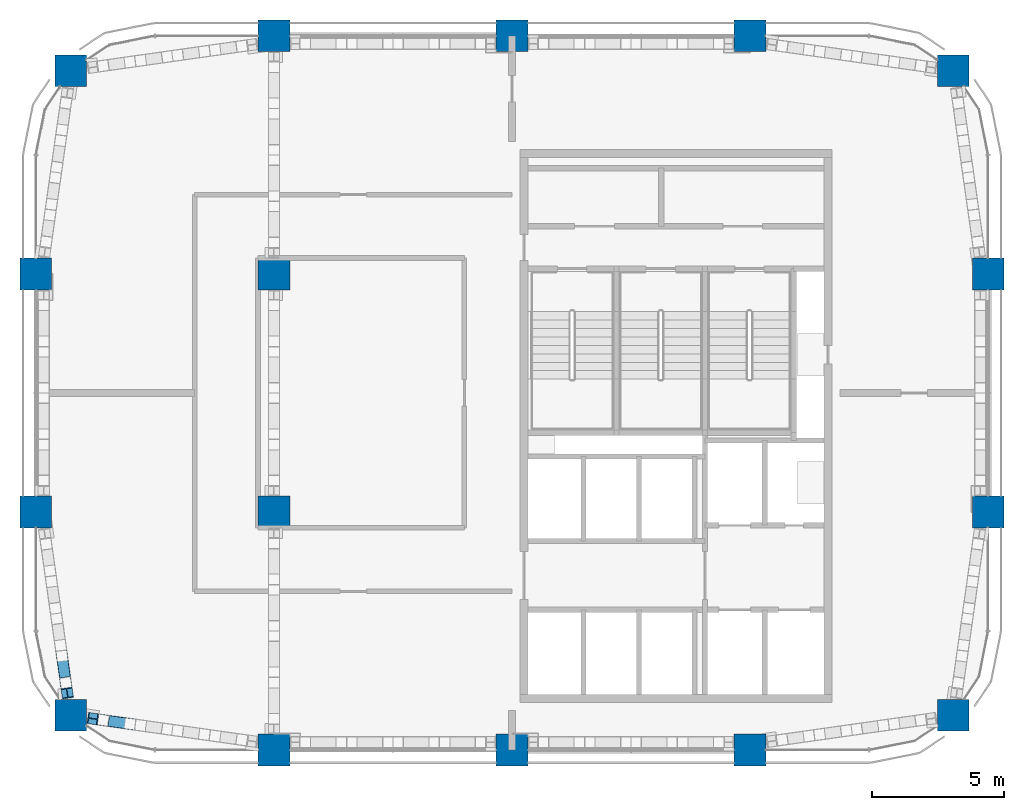
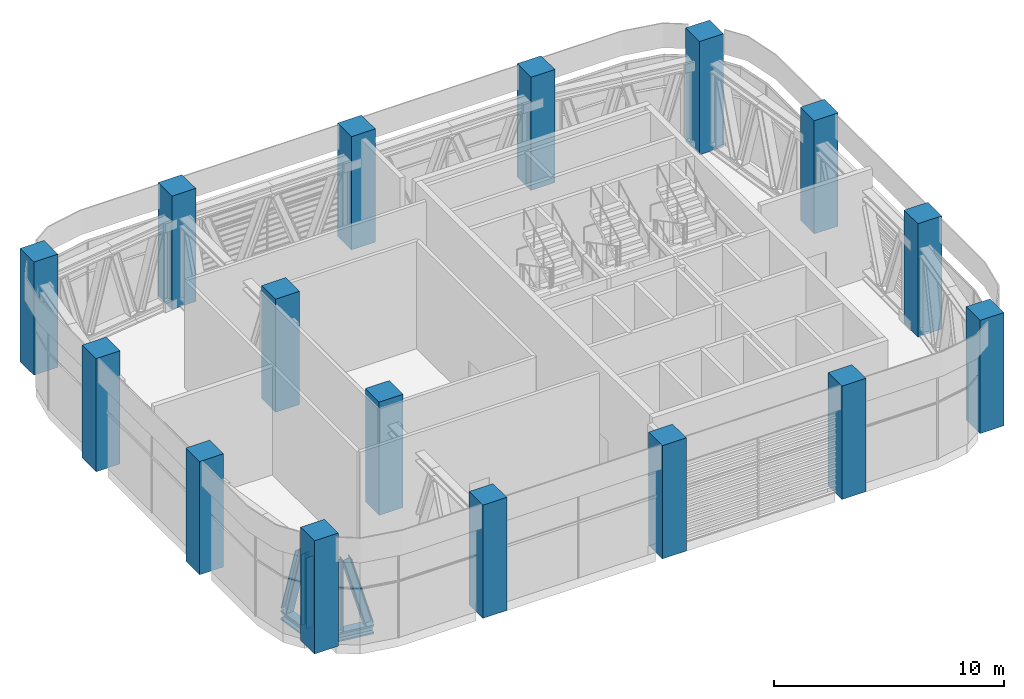
# One storey, part 1 of 14: 16 columns, 6 members.
"""IFC4 building model written with IfcOpenShell, lengths in metres."""

from ifc_helpers import new_model, si_unit, direction, frame, origin, origin_2d, place, context, subcontext, project, spatial, rectangle, i_section, extrude, material, material_profile, profile_set, type_object, element, save


model = new_model("IFC4")

# Units and contexts
model_context = context("Model", 3, precision=1e-05, world=origin(), true_north=direction((0.0, 1.0)))
body_context = subcontext(model_context, "Body", "Model", "MODEL_VIEW")
ifc_project = project(units=[si_unit("LENGTHUNIT", "METRE"), si_unit("AREAUNIT", "SQUARE_METRE"), si_unit("VOLUMEUNIT", "CUBIC_METRE"), si_unit("PLANEANGLEUNIT", "RADIAN"), si_unit("MASSUNIT", "GRAM", prefix="KILO")], contexts=[model_context])

# Site, building, storey
site_placement = place(None, origin())
site = spatial("IfcSite", under=ifc_project, at=site_placement, CompositionType="ELEMENT")
building_placement = place(site_placement, origin())
building = spatial("IfcBuilding", under=site, at=building_placement, Name="Tessera Arch", CompositionType="ELEMENT")
storey_placement = place(building_placement, frame((0.0, 0.0, 295.199951171875)))
storey = spatial("IfcBuildingStorey", under=building, at=storey_placement, Name="L71", CompositionType="ELEMENT", Elevation=295.199951171875)

# Columns
ifc_material_1 = material(Name="Concrete C60/75", Category="concrete")
ifc_material_profile_1 = material_profile(ifc_material_1, rectangle(XDim=1.199951171875, YDim=1.199951171875, at=origin_2d()), Name="RC column 1200 x 1200 Concrete C60/75")
ifc_profile_set_1 = profile_set([ifc_material_profile_1], Name="Concrete C60/75")
column_type = type_object("IfcColumnType", Name="RC column 1200 x 1200 Concrete C60/75", PredefinedType="COLUMN", material=ifc_profile_set_1)
for number, where, z_axis, x_axis, name in (
    (1, (19.318115234375, 28.318115234375, 0.0), (0.0, 0.0, 1.0), (1.0, 0.0, 0.0), "Column C3D L71"),
    (2, (18.0, 36.0, 0.0), (0.0, 0.0, 1.0), (1.0, 0.0, 0.0), "Column C3E L71"),
    (3, (18.0, 45.0, 0.0), (0.0, 0.0, 1.0), (1.0, 0.0, 0.0), "Column C3F L71"),
    (4, (19.318115234375, 52.681884765625, 0.0), (0.0, 0.0, 1.0), (1.0, 0.0, 0.0), "Column C3G L71"),
    (5, (27.0, 27.0, 0.0), (0.0, 0.0, 1.0), (1.0, 0.0, 0.0), "Column C4D L71"),
    (6, (27.0, 36.0, 0.0), (0.0, 0.0, 1.0), (1.0, 0.0, 0.0), "Column C4E L71"),
    (7, (27.0, 45.0, 0.0), (0.0, 0.0, 1.0), (1.0, 0.0, 0.0), "Column C4F L71"),
    (8, (27.0, 54.0, 0.0), (0.0, 0.0, 1.0), (1.0, 0.0, 0.0), "Column C4G L71"),
    (9, (36.0, 27.0, 0.0), (0.0, 0.0, 1.0), (1.0, 0.0, 0.0), "Column C5D L71"),
    (10, (36.0, 54.0, 0.0), (0.0, 0.0, 1.0), (1.0, 0.0, 0.0), "Column C5G L71"),
    (11, (45.0, 27.0, 0.0), (0.0, 0.0, 1.0), (1.0, 0.0, 0.0), "Column C6D L71"),
    (12, (45.0, 54.0, 0.0), (0.0, 0.0, 1.0), (1.0, 0.0, 0.0), "Column C6G L71"),
    (13, (52.681884765625, 28.318115234375, 0.0), (0.0, 0.0, 1.0), (1.0, 0.0, 0.0), "Column C7D L71"),
    (14, (54.0, 36.0, 0.0), (0.0, 0.0, 1.0), (1.0, 0.0, 0.0), "Column C7E L71"),
    (15, (54.0, 45.0, 0.0), (0.0, 0.0, 1.0), (1.0, 0.0, 0.0), "Column C7F L71"),
    (16, (52.681884765625, 52.681884765625, 0.0), (0.0, 0.0, 1.0), (1.0, 0.0, 0.0), "Column C7G L71"),
):
    element("IfcColumn", number, at=place(storey_placement, frame(where, z_axis=z_axis, x_axis=x_axis)), inside=storey, type_object=column_type, Name=name, PredefinedType="COLUMN", context=body_context, shape_type="SweptSolid", body=[
        extrude(rectangle(XDim=1.199951171875, YDim=1.199951171875, at=origin_2d()), origin(), (0.0, 0.0, 1.0), 6.0),
    ])

# Members
ifc_material_2 = material(Name="Steel A992 Gr50", Category="steel")
ifc_material_profile_2 = material_profile(ifc_material_2, i_section(OverallWidth=0.424072265625, OverallDepth=0.47412109375, WebThickness=0.047607421875, FlangeThickness=0.0771484375, at=origin_2d()), Name="W14x426")
ifc_profile_set_2 = profile_set([ifc_material_profile_2], Name="Steel A992 Gr50")
member_type_1 = type_object("IfcMemberType", Name="Truss chord W14x426", PredefinedType="CHORD", material=ifc_profile_set_2)
for number, where, z_axis, x_axis, name in (
    (17, (18.959716796875, 30.757568359375, 0.237060546875), (0.140122212815, -0.99013421589, 0.0), (0.99013421589, 0.140122212815, 0.0), "Belt truss bottom chord 3"),
    (18, (19.9599609375, 28.214111328125, 0.237060546875), (0.99013421589, -0.140122212815, 0.0), (0.140122212815, 0.99013421589, 0.0), "Belt truss bottom chord 1"),
):
    element("IfcMember", number, at=place(storey_placement, frame(where, z_axis=z_axis, x_axis=x_axis)), inside=storey, type_object=member_type_1, Name=name, PredefinedType="CHORD", context=body_context, shape_type="SweptSolid", body=[
        extrude(i_section(OverallWidth=0.424072265625, OverallDepth=0.47412109375, WebThickness=0.047607421875, FlangeThickness=0.0771484375, at=origin_2d()), origin(), (0.0, 0.0, 1.0), 1.8154296875),
    ])
ifc_material_3 = material(Name="Steel A992 Gr50", Category="steel")
ifc_material_profile_3 = material_profile(ifc_material_3, i_section(OverallWidth=0.406494140625, OverallDepth=0.41650390625, WebThickness=0.030029296875, FlangeThickness=0.048095703125, at=origin_2d()), Name="W14x257")
ifc_profile_set_3 = profile_set([ifc_material_profile_3], Name="Steel A992 Gr50")
member_type_2 = type_object("IfcMemberType", Name="Truss diagonal W14x257", PredefinedType="BRACE", material=ifc_profile_set_3)
for number, where, z_axis, x_axis, name in (
    (19, (18.988525390625, 30.55419921875, 0.5478515625), (0.03782520333, -0.267385058023, 0.962847072353), (0.990141768293, 0.140068835515, 0.0), "Belt truss diagonal 4"),
    (20, (20.55322265625, 28.130126953125, 4.15234375), (0.267385058023, -0.03782520333, -0.962847072353), (0.140068835515, 0.990141768293, 0.0), "Belt truss diagonal 1"),
):
    element("IfcMember", number, at=place(storey_placement, frame(where, z_axis=z_axis, x_axis=x_axis)), inside=storey, type_object=member_type_2, Name=name, PredefinedType="BRACE", context=body_context, shape_type="SweptSolid", body=[
        extrude(i_section(OverallWidth=0.406494140625, OverallDepth=0.41650390625, WebThickness=0.030029296875, FlangeThickness=0.048095703125, at=origin_2d()), origin(), (0.0, 0.0, 1.0), 3.74365234375),
    ])
ifc_material_4 = material(Name="Steel A992 Gr50", Category="steel")
ifc_material_profile_4 = material_profile(ifc_material_4, i_section(OverallWidth=0.398681640625, OverallDepth=0.393798828125, WebThickness=0.022705078125, FlangeThickness=0.03662109375, at=origin_2d()), Name="W14x193")
ifc_profile_set_4 = profile_set([ifc_material_profile_4], Name="Steel A992 Gr50")
member_type_3 = type_object("IfcMemberType", Name="Truss post W14x193", PredefinedType="POST", material=ifc_profile_set_4)
for number, where, z_axis, x_axis, name in (
    (21, (19.1865234375, 29.155029296875, 0.474365234375), (0.0, 0.0, 1.0), (0.990138926215, 0.140088924592, 0.0), "Belt truss end post 2"),
    (22, (20.155029296875, 28.1865234375, 0.474365234375), (0.0, 0.0, 1.0), (0.140088924592, 0.990138926215, 0.0), "Belt truss end post 1"),
):
    element("IfcMember", number, at=place(storey_placement, frame(where, z_axis=z_axis, x_axis=x_axis)), inside=storey, type_object=member_type_3, Name=name, PredefinedType="POST", context=body_context, shape_type="SweptSolid", body=[
        extrude(i_section(OverallWidth=0.398681640625, OverallDepth=0.393798828125, WebThickness=0.022705078125, FlangeThickness=0.03662109375, at=origin_2d()), origin(), (0.0, 0.0, 1.0), 3.75146484375),
    ])

save(model, "model.ifc")
